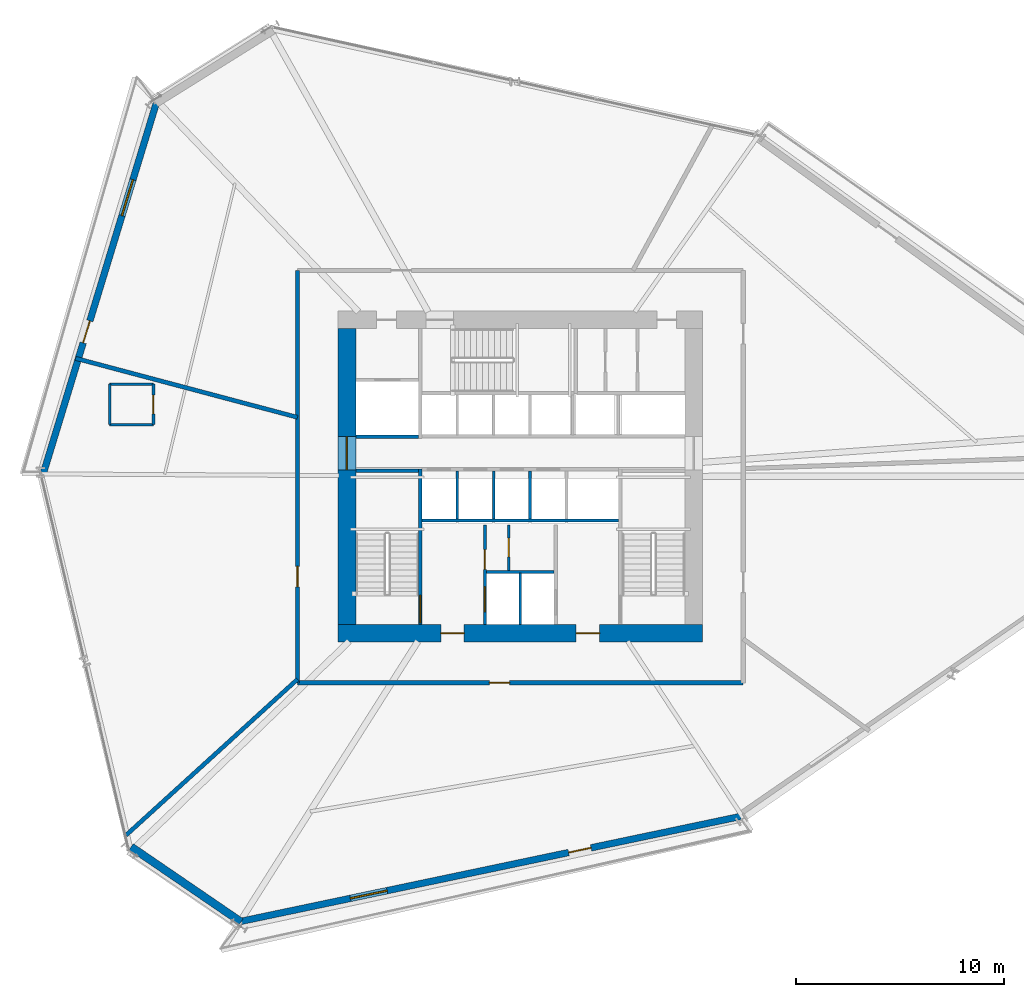
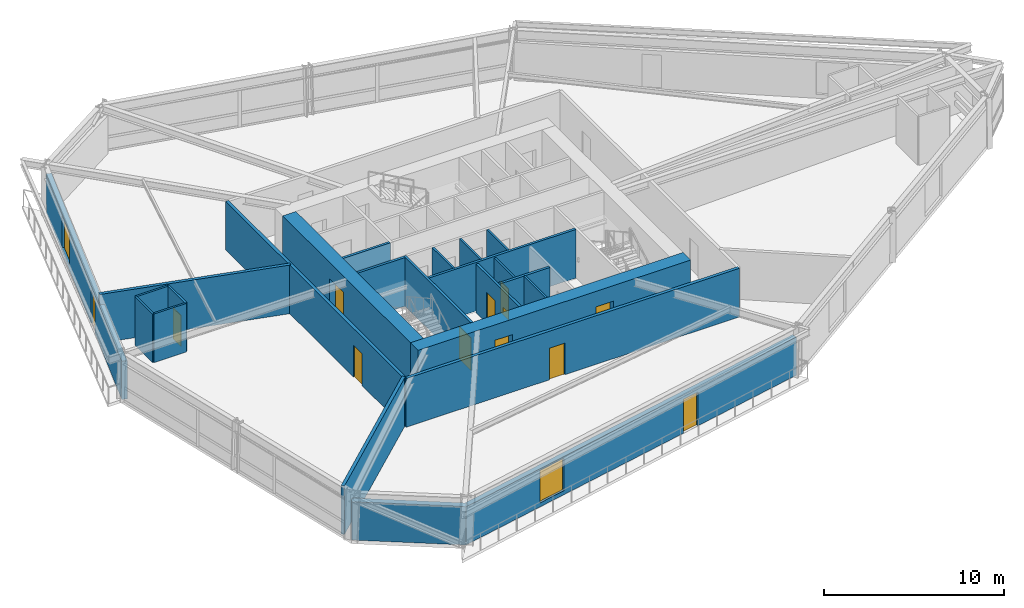
# One storey, part 18 of 24: 24 walls, 12 doors, 2 windows, 14 openings.
"""IFC4 building model written with IfcOpenShell, lengths in metres."""

from ifc_helpers import new_model, si_unit, direction, frame, frame_2d, origin, place, context, subcontext, project, spatial, rectangle, extrude, source, transform, mapped, material, layer, layer_set, type_object, type_shapes, element, fill, save


model = new_model("IFC4")

# Units and contexts
model_context = context("Model", 3, precision=1e-05, world=origin(), true_north=direction((0.0, 1.0)))
body_context = subcontext(model_context, "Body", "Model", "MODEL_VIEW")
ifc_project = project(units=[si_unit("LENGTHUNIT", "METRE"), si_unit("AREAUNIT", "SQUARE_METRE"), si_unit("VOLUMEUNIT", "CUBIC_METRE"), si_unit("PLANEANGLEUNIT", "RADIAN"), si_unit("MASSUNIT", "GRAM", prefix="KILO")], contexts=[model_context])

# Site, building, storey
site_placement = place(None, origin())
site = spatial("IfcSite", under=ifc_project, at=site_placement, CompositionType="ELEMENT")
building_placement = place(site_placement, origin())
building = spatial("IfcBuilding", under=site, at=building_placement, Name="Olszyna Solenne Hotel", CompositionType="ELEMENT")
storey_placement = place(building_placement, frame((0.0, 0.0, 36.39990234375)))
storey = spatial("IfcBuildingStorey", under=building, at=storey_placement, Name="L08", CompositionType="ELEMENT", Elevation=36.39990234375)

# Wall, openings, doors
ifc_material_1 = material(Name="Concrete C60/75", Category="concrete")
ifc_layer_1 = layer(ifc_material_1, 0.85009765625, Name="Concrete C60/75")
ifc_layer_set_1 = layer_set([ifc_layer_1], Name="Concrete C60/75")
wall_type_1 = type_object("IfcWallType", Name="WL-CR850", PredefinedType="SHEAR", material=ifc_layer_set_1)
wall_1_placement = place(storey_placement, frame((46.75, 19.074951171875, 0.0), z_axis=(0.0, 0.0, 1.0), x_axis=(-1.0, 0.0, 0.0)))
wall_1 = element("IfcWall", 1, at=wall_1_placement, inside=storey, type_object=wall_type_1, Name="Core shear wall WL-CR850 CRW-L08-S", PredefinedType="SHEAR", context=body_context, shape_type="SweptSolid", body=[
    extrude(rectangle(XDim=17.5, YDim=0.85009765625, at=frame_2d((8.75, 0.0))), origin(), (0.0, 0.0, 1.0), 3.300048828125),
])
opening_1_placement = place(wall_1_placement, frame((4.949951171875, 0.0, 0.0)))
opening_1 = element("IfcOpeningElement", 2, at=opening_1_placement, cuts=wall_1, Name="Opening FL-L08-1", PredefinedType="OPENING", context=body_context, shape_type="SweptSolid", body=[
    extrude(rectangle(XDim=1.1201171875, YDim=2.25, at=frame_2d((0.56005859375, 1.125))), frame((0.0, 0.43505859375, 0.0), z_axis=(0.0, -1.0, 0.0), x_axis=(1.0, 0.0, 0.0)), (0.0, 0.0, 1.0), 0.8701171875),
])
opening_2_placement = place(wall_1_placement, frame((11.449951171875, 0.0, 0.0)))
opening_2 = element("IfcOpeningElement", 3, at=opening_2_placement, cuts=wall_1, Name="Opening FL-L08-2", PredefinedType="OPENING", context=body_context, shape_type="SweptSolid", body=[
    extrude(rectangle(XDim=1.1201171875, YDim=2.25, at=frame_2d((0.56005859375, 1.125))), frame((0.0, 0.43505859375, 0.0), z_axis=(0.0, -1.0, 0.0), x_axis=(1.0, 0.0, 0.0)), (0.0, 0.0, 1.0), 0.8701171875),
])
ifc_material_2 = material(Name="Steel S355J2", Category="steel")
door_type_1 = type_object("IfcDoorType", Name="DR-FL1", OperationType="NOTDEFINED", PredefinedType="DOOR", material=ifc_material_2)
shared_shape_1 = source(origin(), body_context, "Body", "SweptSolid", [
    extrude(rectangle(XDim=1.1201171875, YDim=2.25, at=frame_2d((0.56005859375, 1.125))), frame((0.0, 0.02490234375, 0.0), z_axis=(0.0, -1.0, 0.0), x_axis=(1.0, 0.0, 0.0)), (0.0, 0.0, 1.0), 0.050048828125),
])
type_shapes(door_type_1, [shared_shape_1])
door_1_placement = place(opening_1_placement, origin())
door_1 = element("IfcDoor", 4, at=door_1_placement, inside=storey, type_object=door_type_1, Name="Firefighting lift lobby smoke door FL-L08-1", OperationType="SINGLE_SWING_LEFT", OverallHeight=2.25, OverallWidth=1.1201171875, PredefinedType="DOOR", context=body_context, shape_type="MappedRepresentation", body=[
    mapped(shared_shape_1, transform((0.0, 0.0, 0.0), x_axis=(1.0, 0.0, 0.0), y_axis=(0.0, 1.0, 0.0), z_axis=(0.0, 0.0, 1.0), scale=1.0)),
])
fill(opening_1, door_1)
door_2_placement = place(opening_2_placement, origin())
door_2 = element("IfcDoor", 5, at=door_2_placement, inside=storey, type_object=door_type_1, Name="Firefighting lift lobby smoke door FL-L08-2", OperationType="SINGLE_SWING_RIGHT", OverallHeight=2.25, OverallWidth=1.1201171875, PredefinedType="DOOR", context=body_context, shape_type="MappedRepresentation", body=[
    mapped(shared_shape_1, transform((0.0, 0.0, 0.0), x_axis=(1.0, 0.0, 0.0), y_axis=(0.0, 1.0, 0.0), z_axis=(0.0, 0.0, 1.0), scale=1.0)),
])
fill(opening_2, door_2)

# Wall, opening, door
wall_2_placement = place(storey_placement, frame((29.675048828125, 19.5, 0.0), z_axis=(0.0, 0.0, 1.0), x_axis=(0.0, 1.0, 0.0)))
wall_2 = element("IfcWall", 6, at=wall_2_placement, inside=storey, type_object=wall_type_1, Name="Core shear wall WL-CR850 CRW-L08-W", PredefinedType="SHEAR", context=body_context, shape_type="SweptSolid", body=[
    extrude(rectangle(XDim=14.199951171875, YDim=0.85009765625, at=frame_2d((7.10009765625, 0.0))), origin(), (0.0, 0.0, 1.0), 3.300048828125),
])
opening_3_placement = place(wall_2_placement, frame((7.419921875, 0.0, 0.0)))
opening_3 = element("IfcOpeningElement", 7, at=opening_3_placement, cuts=wall_2, Name="Opening LHD-L08-W", PredefinedType="OPENING", context=body_context, shape_type="SweptSolid", body=[
    extrude(rectangle(XDim=1.60009765625, YDim=2.199951171875, at=frame_2d((0.800048828125, 1.10009765625))), frame((0.0, 0.43505859375, 0.0), z_axis=(0.0, -1.0, 0.0), x_axis=(1.0, 0.0, 0.0)), (0.0, 0.0, 1.0), 0.8701171875),
])
ifc_material_3 = material(Name="Timber hardwood", Category="wood")
door_type_2 = type_object("IfcDoorType", Name="DR-CR1", OperationType="DOUBLE_DOOR_SINGLE_SWING", PredefinedType="DOOR", material=ifc_material_3)
shared_shape_2 = source(origin(), body_context, "Body", "SweptSolid", [
    extrude(rectangle(XDim=1.60009765625, YDim=2.199951171875, at=frame_2d((0.800048828125, 1.10009765625))), frame((0.0, 0.02490234375, 0.0), z_axis=(0.0, -1.0, 0.0), x_axis=(1.0, 0.0, 0.0)), (0.0, 0.0, 1.0), 0.050048828125),
])
type_shapes(door_type_2, [shared_shape_2])
door_3_placement = place(opening_3_placement, origin())
door_3 = element("IfcDoor", 8, at=door_3_placement, inside=storey, type_object=door_type_2, Name="Passenger lift lobby West fire door LHD-L08-W", OperationType="DOUBLE_DOOR_SINGLE_SWING", OverallHeight=2.199951171875, OverallWidth=1.60009765625, PredefinedType="DOOR", context=body_context, shape_type="MappedRepresentation", body=[
    mapped(shared_shape_2, transform((0.0, 0.0, 0.0), x_axis=(1.0, 0.0, 0.0), y_axis=(0.0, 1.0, 0.0), z_axis=(0.0, 0.0, 1.0), scale=1.0)),
])
fill(opening_3, door_3)

# Wall, openings, door, window
ifc_material_4 = material(Name="Precast concrete C45/55", Category="concrete")
ifc_layer_2 = layer(ifc_material_4, 0.320068359375, Name="Precast concrete C45/55")
ifc_layer_set_2 = layer_set([ifc_layer_2], Name="Precast concrete C45/55")
wall_type_2 = type_object("IfcWallType", Name="WL-EX320", PredefinedType="SOLIDWALL", material=ifc_layer_set_2)
wall_3_placement = place(storey_placement, frame((48.5791015625, 10.284912109375, 0.0), z_axis=(0.0, 0.0, 1.0), x_axis=(-0.978662775372, -0.205473044709, 0.0)))
wall_3 = element("IfcWall", 9, at=wall_3_placement, inside=storey, type_object=wall_type_2, Name="Exterior terracotta-precast frame wall WL-EX320 EW-L08-01", PredefinedType="SOLIDWALL", context=body_context, shape_type="SweptSolid", body=[
    extrude(rectangle(XDim=24.658447265625, YDim=0.320068359375, at=frame_2d((12.3291015625, 0.0))), origin(), (0.0, 0.0, 1.0), 2.592041015625),
])
opening_4_placement = place(wall_3_placement, frame((7.341064453125, 0.0, 0.0)))
opening_4 = element("IfcOpeningElement", 10, at=opening_4_placement, cuts=wall_3, Name="Opening LDG-L08-3", PredefinedType="OPENING", context=body_context, shape_type="SweptSolid", body=[
    extrude(rectangle(XDim=1.10009765625, YDim=2.300048828125, at=frame_2d((0.550048828125, 1.14990234375))), frame((0.0, 0.169921875, 0.0), z_axis=(0.0, -1.0, 0.0), x_axis=(1.0, 0.0, 0.0)), (0.0, 0.0, 1.0), 0.340087890625),
])
opening_5_placement = place(wall_3_placement, frame((17.346923828125, 0.0, 0.27197265625)))
opening_5 = element("IfcOpeningElement", 11, at=opening_5_placement, cuts=wall_3, Name="Opening WN-L08-031", PredefinedType="OPENING", context=body_context, shape_type="SweptSolid", body=[
    extrude(rectangle(XDim=1.800048828125, YDim=2.199951171875, at=frame_2d((0.89990234375, 1.10009765625))), frame((0.0, 0.169921875, 0.0), z_axis=(0.0, -1.0, 0.0), x_axis=(1.0, 0.0, 0.0)), (0.0, 0.0, 1.0), 0.340087890625),
])
ifc_material_5 = material(Name="Anodised bronze aluminium", Category="aluminium")
door_type_3 = type_object("IfcDoorType", Name="DR-LG1", OperationType="NOTDEFINED", PredefinedType="DOOR", material=ifc_material_5)
shared_shape_3 = source(origin(), body_context, "Body", "SweptSolid", [
    extrude(rectangle(XDim=1.10009765625, YDim=2.300048828125, at=frame_2d((0.550048828125, 1.14990234375))), frame((0.0, 0.02490234375, 0.0), z_axis=(0.0, -1.0, 0.0), x_axis=(1.0, 0.0, 0.0)), (0.0, 0.0, 1.0), 0.050048828125),
])
type_shapes(door_type_3, [shared_shape_3])
door_4_placement = place(opening_4_placement, origin())
door_4 = element("IfcDoor", 12, at=door_4_placement, inside=storey, type_object=door_type_3, Name="Exterior loggia balcony door DR-LG1 LDG-L08-3", OperationType="SINGLE_SWING_LEFT", OverallHeight=2.300048828125, OverallWidth=1.10009765625, PredefinedType="DOOR", context=body_context, shape_type="MappedRepresentation", body=[
    mapped(shared_shape_3, transform((0.0, 0.0, 0.0), x_axis=(1.0, 0.0, 0.0), y_axis=(0.0, 1.0, 0.0), z_axis=(0.0, 0.0, 1.0), scale=1.0)),
])
fill(opening_4, door_4)
ifc_material_6 = material(Name="Low-E triple glazing", Category="glass")
window_type = type_object("IfcWindowType", Name="WN-HT1", PartitioningType="SINGLE_PANEL", PredefinedType="WINDOW", material=ifc_material_6)
shared_shape_4 = source(origin(), body_context, "Body", "SweptSolid", [
    extrude(rectangle(XDim=1.800048828125, YDim=2.199951171875, at=frame_2d((0.89990234375, 1.10009765625))), frame((0.0, 0.030029296875, 0.0), z_axis=(0.0, -1.0, 0.0), x_axis=(1.0, 0.0, 0.0)), (0.0, 0.0, 1.0), 0.06005859375),
])
type_shapes(window_type, [shared_shape_4])
window_1_placement = place(opening_5_placement, origin())
window_1 = element("IfcWindow", 13, at=window_1_placement, inside=storey, type_object=window_type, Name="Loggia room window WN-HT1 WN-L08-031", OverallHeight=2.199951171875, OverallWidth=1.800048828125, PartitioningType="SINGLE_PANEL", PredefinedType="WINDOW", context=body_context, shape_type="MappedRepresentation", body=[
    mapped(shared_shape_4, transform((0.0, 0.0, 0.0), x_axis=(1.0, 0.0, 0.0), y_axis=(0.0, 1.0, 0.0), z_axis=(0.0, 0.0, 1.0), scale=1.0)),
])
fill(opening_5, window_1)

wall_4_placement = place(storey_placement, frame((15.108642578125, 26.78662109375, 0.0), z_axis=(0.0, 0.0, 1.0), x_axis=(0.291769715956, 0.956488595254, 0.0)))
wall_4 = element("IfcWall", 14, at=wall_4_placement, inside=storey, type_object=wall_type_2, Name="Exterior terracotta-precast frame wall WL-EX320 EW-L08-04", PredefinedType="SOLIDWALL", context=body_context, shape_type="SweptSolid", body=[
    extrude(rectangle(XDim=18.657958984375, YDim=0.320068359375, at=frame_2d((9.3291015625, 0.0))), origin(), (0.0, 0.0, 1.0), 2.592041015625),
])
opening_6_placement = place(wall_4_placement, frame((6.52099609375, 0.0, 0.0)))
opening_6 = element("IfcOpeningElement", 15, at=opening_6_placement, cuts=wall_4, Name="Opening LDG-L08-2", PredefinedType="OPENING", context=body_context, shape_type="SweptSolid", body=[
    extrude(rectangle(XDim=1.10009765625, YDim=2.300048828125, at=frame_2d((0.550048828125, 1.14990234375))), frame((0.0, 0.169921875, 0.0), z_axis=(0.0, -1.0, 0.0), x_axis=(1.0, 0.0, 0.0)), (0.0, 0.0, 1.0), 0.340087890625),
])
opening_7_placement = place(wall_4_placement, frame((12.906982421875, 0.0, 0.27197265625)))
opening_7 = element("IfcOpeningElement", 16, at=opening_7_placement, cuts=wall_4, Name="Opening WN-L08-032", PredefinedType="OPENING", context=body_context, shape_type="SweptSolid", body=[
    extrude(rectangle(XDim=1.800048828125, YDim=2.199951171875, at=frame_2d((0.89990234375, 1.10009765625))), frame((0.0, 0.169921875, 0.0), z_axis=(0.0, -1.0, 0.0), x_axis=(1.0, 0.0, 0.0)), (0.0, 0.0, 1.0), 0.340087890625),
])
door_5_placement = place(opening_6_placement, origin())
door_5 = element("IfcDoor", 17, at=door_5_placement, inside=storey, type_object=door_type_3, Name="Exterior loggia balcony door DR-LG1 LDG-L08-2", OperationType="SINGLE_SWING_RIGHT", OverallHeight=2.300048828125, OverallWidth=1.10009765625, PredefinedType="DOOR", context=body_context, shape_type="MappedRepresentation", body=[
    mapped(shared_shape_3, transform((0.0, 0.0, 0.0), x_axis=(1.0, 0.0, 0.0), y_axis=(0.0, 1.0, 0.0), z_axis=(0.0, 0.0, 1.0), scale=1.0)),
])
fill(opening_6, door_5)
window_2_placement = place(opening_7_placement, origin())
window_2 = element("IfcWindow", 18, at=window_2_placement, inside=storey, type_object=window_type, Name="Loggia room window WN-HT1 WN-L08-032", OverallHeight=2.199951171875, OverallWidth=1.800048828125, PartitioningType="SINGLE_PANEL", PredefinedType="WINDOW", context=body_context, shape_type="MappedRepresentation", body=[
    mapped(shared_shape_4, transform((0.0, 0.0, 0.0), x_axis=(1.0, 0.0, 0.0), y_axis=(0.0, 1.0, 0.0), z_axis=(0.0, 0.0, 1.0), scale=1.0)),
])
fill(opening_7, window_2)

# Walls
ifc_material_7 = material(Name="Terracotta cladding on precast concrete C45/55", Category="masonry")
ifc_layer_3 = layer(ifc_material_7, 0.3798828125, Name="Terracotta cladding on precast concrete C45/55")
ifc_layer_set_3 = layer_set([ifc_layer_3], Name="Terracotta cladding on precast concrete C45/55")
wall_type_3 = type_object("IfcWallType", Name="WL-EX380", PredefinedType="SOLIDWALL", material=ifc_layer_set_3)
wall_5_placement = place(storey_placement, frame((24.5869140625, 5.218505859375, 0.0), z_axis=(0.0, 0.0, 1.0), x_axis=(-0.825615561524, 0.564233058735, 0.0)))
element("IfcWall", 19, at=wall_5_placement, inside=storey, type_object=wall_type_3, Name="Exterior terracotta-precast frame wall WL-EX380 EW-L08-02", PredefinedType="SOLIDWALL", context=body_context, shape_type="SweptSolid", body=[
    extrude(rectangle(XDim=6.387939453125, YDim=0.3798828125, at=frame_2d((3.19384765625, 0.0))), origin(), (0.0, 0.0, 1.0), 2.592041015625),
])
ifc_material_8 = material(Name="Acoustic gypsum partition", Category="gypsum")
ifc_layer_4 = layer(ifc_material_8, 0.125, Name="Acoustic gypsum partition")
ifc_layer_set_4 = layer_set([ifc_layer_4], Name="Acoustic gypsum partition")
wall_type_4 = type_object("IfcWallType", Name="WL-PT125", PredefinedType="PARTITIONING", material=ifc_layer_set_4)
wall_6_placement = place(storey_placement, frame((38.0, 19.5, 0.0), z_axis=(0.0, 0.0, 1.0), x_axis=(0.0, 1.0, 0.0)))
element("IfcWall", 20, at=wall_6_placement, inside=storey, type_object=wall_type_4, Name="Core shaft compartment wall CW-L08-FFM", PredefinedType="PARTITIONING", context=body_context, shape_type="SweptSolid", body=[
    extrude(rectangle(XDim=2.4599609375, YDim=0.125, at=frame_2d((1.22998046875, 0.0))), origin(), (0.0, 0.0, 1.0), 3.300048828125),
])

# Wall, opening, door
wall_7_placement = place(storey_placement, frame((37.44189453125, 22.10009765625, 0.0), z_axis=(0.0, 0.0, 1.0), x_axis=(0.0, 1.0, 0.0)))
wall_7 = element("IfcWall", 21, at=wall_7_placement, inside=storey, type_object=wall_type_4, Name="Core shaft compartment wall CW-L08-SC3", PredefinedType="PARTITIONING", context=body_context, shape_type="SweptSolid", body=[
    extrude(rectangle(XDim=2.179931640625, YDim=0.125, at=frame_2d((1.08984375, 0.0))), origin(), (0.0, 0.0, 1.0), 3.300048828125),
])
opening_8_placement = place(wall_7_placement, frame((0.64990234375, 0.0, 0.0)))
opening_8 = element("IfcOpeningElement", 22, at=opening_8_placement, cuts=wall_7, Name="Opening SVD-L08-SC3", PredefinedType="OPENING", context=body_context, shape_type="SweptSolid", body=[
    extrude(rectangle(XDim=0.89990234375, YDim=2.10009765625, at=frame_2d((0.449951171875, 1.050048828125))), frame((0.0, 0.072509765625, 0.0), z_axis=(0.0, -1.0, 0.0), x_axis=(1.0, 0.0, 0.0)), (0.0, 0.0, 1.0), 0.14501953125),
])
door_type_4 = type_object("IfcDoorType", Name="DR-WC1", OperationType="NOTDEFINED", PredefinedType="DOOR", material=ifc_material_3)
shared_shape_5 = source(origin(), body_context, "Body", "SweptSolid", [
    extrude(rectangle(XDim=0.89990234375, YDim=2.10009765625, at=frame_2d((0.449951171875, 1.050048828125))), frame((0.0, 0.02490234375, 0.0), z_axis=(0.0, -1.0, 0.0), x_axis=(1.0, 0.0, 0.0)), (0.0, 0.0, 1.0), 0.050048828125),
])
type_shapes(door_type_4, [shared_shape_5])
door_6_placement = place(opening_8_placement, origin())
door_6 = element("IfcDoor", 23, at=door_6_placement, inside=storey, type_object=door_type_4, Name="Trolley bay door SVD-L08-SC3", OperationType="SINGLE_SWING_LEFT", OverallHeight=2.10009765625, OverallWidth=0.89990234375, PredefinedType="DOOR", context=body_context, shape_type="MappedRepresentation", body=[
    mapped(shared_shape_5, transform((0.0, 0.0, 0.0), x_axis=(1.0, 0.0, 0.0), y_axis=(0.0, 1.0, 0.0), z_axis=(0.0, 0.0, 1.0), scale=1.0)),
])
fill(opening_8, door_6)

# Walls
for number, where, z_axis, x_axis, name in (
    (24, (34.965087890625, 24.56005859375, 0.0), (0.0, 0.0, 1.0), (0.0, 1.0, 0.0), "Core shaft compartment wall CW-L08-DIVS349"),
    (25, (36.715087890625, 24.56005859375, 0.0), (0.0, 0.0, 1.0), (0.0, 1.0, 0.0), "Core shaft compartment wall CW-L08-DIVS367"),
    (26, (38.465087890625, 24.56005859375, 0.0), (0.0, 0.0, 1.0), (0.0, 1.0, 0.0), "Core shaft compartment wall CW-L08-DIVS384"),
):
    element("IfcWall", number, at=place(storey_placement, frame(where, z_axis=z_axis, x_axis=x_axis)), inside=storey, type_object=wall_type_4, Name=name, PredefinedType="PARTITIONING", context=body_context, shape_type="SweptSolid", body=[
        extrude(rectangle(XDim=2.31005859375, YDim=0.125, at=frame_2d((1.155029296875, 0.0))), origin(), (0.0, 0.0, 1.0), 3.300048828125),
    ])

# Wall, opening, door
wall_8_placement = place(storey_placement, frame((20.385986328125, 29.090087890625, 0.0), z_axis=(0.0, 0.0, 1.0), x_axis=(0.0, 1.0, 0.0)))
wall_8 = element("IfcWall", 27, at=wall_8_placement, inside=storey, type_object=wall_type_4, Name="Interior acoustic partition WL-PT125 PW-L08-0459", PredefinedType="PARTITIONING", context=body_context, shape_type="SweptSolid", body=[
    extrude(rectangle(XDim=1.949951171875, YDim=0.125, at=frame_2d((0.97509765625, 0.0))), origin(), (0.0, 0.0, 1.0), 3.300048828125),
])
opening_9_placement = place(wall_8_placement, frame((0.52490234375, 0.0, 0.0)))
opening_9 = element("IfcOpeningElement", 28, at=opening_9_placement, cuts=wall_8, Name="Opening DR-L08-0099", PredefinedType="OPENING", context=body_context, shape_type="SweptSolid", body=[
    extrude(rectangle(XDim=0.89990234375, YDim=2.10009765625, at=frame_2d((0.449951171875, 1.050048828125))), frame((0.0, 0.072509765625, 0.0), z_axis=(0.0, -1.0, 0.0), x_axis=(1.0, 0.0, 0.0)), (0.0, 0.0, 1.0), 0.14501953125),
])
door_7_placement = place(opening_9_placement, origin())
door_7 = element("IfcDoor", 29, at=door_7_placement, inside=storey, type_object=door_type_4, Name="En-Suite Bathroom Door DR-L08-0099", OperationType="SINGLE_SWING_RIGHT", OverallHeight=2.10009765625, OverallWidth=0.89990234375, PredefinedType="DOOR", context=body_context, shape_type="MappedRepresentation", body=[
    mapped(shared_shape_5, transform((0.0, 0.0, 0.0), x_axis=(1.0, 0.0, 0.0), y_axis=(0.0, 1.0, 0.0), z_axis=(0.0, 0.0, 1.0), scale=1.0)),
])
fill(opening_9, door_7)

# Walls
wall_9_placement = place(storey_placement, frame((20.385986328125, 31.0400390625, 0.0), z_axis=(0.0, 0.0, 1.0), x_axis=(-1.0, 0.0, 0.0)))
element("IfcWall", 30, at=wall_9_placement, inside=storey, type_object=wall_type_4, Name="Interior acoustic partition WL-PT125 PW-L08-0460", PredefinedType="PARTITIONING", context=body_context, shape_type="SweptSolid", body=[
    extrude(rectangle(XDim=2.10009765625, YDim=0.125, at=frame_2d((1.050048828125, 0.0))), origin(), (0.0, 0.0, 1.0), 3.300048828125),
])
wall_10_placement = place(storey_placement, frame((18.285888671875, 31.0400390625, 0.0), z_axis=(0.0, 0.0, 1.0), x_axis=(0.0, -1.0, 0.0)))
element("IfcWall", 31, at=wall_10_placement, inside=storey, type_object=wall_type_4, Name="Interior acoustic partition WL-PT125 PW-L08-0461", PredefinedType="PARTITIONING", context=body_context, shape_type="SweptSolid", body=[
    extrude(rectangle(XDim=1.949951171875, YDim=0.125, at=frame_2d((0.97509765625, 0.0))), origin(), (0.0, 0.0, 1.0), 3.300048828125),
])
wall_11_placement = place(storey_placement, frame((18.285888671875, 29.090087890625, 0.0), z_axis=(0.0, 0.0, 1.0), x_axis=(1.0, 0.0, 0.0)))
element("IfcWall", 32, at=wall_11_placement, inside=storey, type_object=wall_type_4, Name="Interior acoustic partition WL-PT125 PW-L08-0462", PredefinedType="PARTITIONING", context=body_context, shape_type="SweptSolid", body=[
    extrude(rectangle(XDim=2.10009765625, YDim=0.125, at=frame_2d((1.050048828125, 0.0))), origin(), (0.0, 0.0, 1.0), 3.300048828125),
])

# Wall, opening, door
ifc_layer_5 = layer(ifc_material_8, 0.159912109375, Name="Acoustic gypsum partition")
ifc_layer_set_5 = layer_set([ifc_layer_5], Name="Acoustic gypsum partition")
wall_type_5 = type_object("IfcWallType", Name="WL-PT160", PredefinedType="PARTITIONING", material=ifc_layer_set_5)
wall_12_placement = place(storey_placement, frame((33.199951171875, 19.5, 0.0), z_axis=(0.0, 0.0, 1.0), x_axis=(0.0, 1.0, 0.0)))
wall_12 = element("IfcWall", 33, at=wall_12_placement, inside=storey, type_object=wall_type_5, Name="Core shaft compartment wall CW-L08-ST1E", PredefinedType="PARTITIONING", context=body_context, shape_type="SweptSolid", body=[
    extrude(rectangle(XDim=7.4599609375, YDim=0.159912109375, at=frame_2d((3.72998046875, 0.0))), origin(), (0.0, 0.0, 1.0), 3.300048828125),
])
opening_10_placement = place(wall_12_placement, frame((0.080078125, 0.0, 0.0)))
opening_10 = element("IfcOpeningElement", 34, at=opening_10_placement, cuts=wall_12, Name="Opening STD-L08-01", PredefinedType="OPENING", context=body_context, shape_type="SweptSolid", body=[
    extrude(rectangle(XDim=1.320068359375, YDim=2.199951171875, at=frame_2d((0.66015625, 1.10009765625))), frame((0.0, 0.08984375, 0.0), z_axis=(0.0, -1.0, 0.0), x_axis=(1.0, 0.0, 0.0)), (0.0, 0.0, 1.0), 0.179931640625),
])
door_type_5 = type_object("IfcDoorType", Name="DR-ST1", OperationType="NOTDEFINED", PredefinedType="DOOR", material=ifc_material_2)
shared_shape_6 = source(origin(), body_context, "Body", "SweptSolid", [
    extrude(rectangle(XDim=1.320068359375, YDim=2.199951171875, at=frame_2d((0.66015625, 1.10009765625))), frame((0.0, 0.02490234375, 0.0), z_axis=(0.0, -1.0, 0.0), x_axis=(1.0, 0.0, 0.0)), (0.0, 0.0, 1.0), 0.050048828125),
])
type_shapes(door_type_5, [shared_shape_6])
door_8_placement = place(opening_10_placement, origin())
door_8 = element("IfcDoor", 35, at=door_8_placement, inside=storey, type_object=door_type_5, Name="Pressurised exit stair ST1 fire door STD-L08-01", OperationType="SINGLE_SWING_LEFT", OverallHeight=2.199951171875, OverallWidth=1.320068359375, PredefinedType="DOOR", context=body_context, shape_type="MappedRepresentation", body=[
    mapped(shared_shape_6, transform((0.0, 0.0, 0.0), x_axis=(1.0, 0.0, 0.0), y_axis=(0.0, 1.0, 0.0), z_axis=(0.0, 0.0, 1.0), scale=1.0)),
])
fill(opening_10, door_8)

# Wall
wall_13_placement = place(storey_placement, frame((30.10009765625, 26.8798828125, 0.0), z_axis=(0.0, 0.0, 1.0), x_axis=(1.0, 0.0, 0.0)))
element("IfcWall", 36, at=wall_13_placement, inside=storey, type_object=wall_type_5, Name="Core shaft compartment wall CW-L08-ST1N", PredefinedType="PARTITIONING", context=body_context, shape_type="SweptSolid", body=[
    extrude(rectangle(XDim=3.02001953125, YDim=0.159912109375, at=frame_2d((1.510009765625, 0.0))), origin(), (0.0, 0.0, 1.0), 3.300048828125),
])

# Wall, openings, doors
wall_14_placement = place(storey_placement, frame((36.300048828125, 19.5, 0.0), z_axis=(0.0, 0.0, 1.0), x_axis=(0.0, 1.0, 0.0)))
wall_14 = element("IfcWall", 37, at=wall_14_placement, inside=storey, type_object=wall_type_5, Name="Core shaft compartment wall CW-L08-FF1W", PredefinedType="PARTITIONING", context=body_context, shape_type="SweptSolid", body=[
    extrude(rectangle(XDim=4.780029296875, YDim=0.159912109375, at=frame_2d((2.39013671875, 0.0))), origin(), (0.0, 0.0, 1.0), 3.300048828125),
])
opening_11_placement = place(wall_14_placement, frame((0.60009765625, 0.0, 0.0)))
opening_11 = element("IfcOpeningElement", 38, at=opening_11_placement, cuts=wall_14, Name="Opening LD-L08-FF1", PredefinedType="OPENING", context=body_context, shape_type="SweptSolid", body=[
    extrude(rectangle(XDim=1.199951171875, YDim=2.199951171875, at=frame_2d((0.60009765625, 1.10009765625))), frame((0.0, 0.08984375, 0.0), z_axis=(0.0, -1.0, 0.0), x_axis=(1.0, 0.0, 0.0)), (0.0, 0.0, 1.0), 0.179931640625),
])
opening_12_placement = place(wall_14_placement, frame((2.64990234375, 0.0, 0.0)))
opening_12 = element("IfcOpeningElement", 39, at=opening_12_placement, cuts=wall_14, Name="Opening SVD-L08-SMK", PredefinedType="OPENING", context=body_context, shape_type="SweptSolid", body=[
    extrude(rectangle(XDim=0.949951171875, YDim=2.10009765625, at=frame_2d((0.47509765625, 1.050048828125))), frame((0.0, 0.08984375, 0.0), z_axis=(0.0, -1.0, 0.0), x_axis=(1.0, 0.0, 0.0)), (0.0, 0.0, 1.0), 0.179931640625),
])
door_type_6 = type_object("IfcDoorType", Name="DR-SV1", OperationType="NOTDEFINED", PredefinedType="DOOR", material=ifc_material_2)
shared_shape_7 = source(origin(), body_context, "Body", "SweptSolid", [
    extrude(rectangle(XDim=0.949951171875, YDim=2.10009765625, at=frame_2d((0.47509765625, 1.050048828125))), frame((0.0, 0.02490234375, 0.0), z_axis=(0.0, -1.0, 0.0), x_axis=(1.0, 0.0, 0.0)), (0.0, 0.0, 1.0), 0.050048828125),
])
type_shapes(door_type_6, [shared_shape_7])
door_9_placement = place(opening_12_placement, origin())
door_9 = element("IfcDoor", 40, at=door_9_placement, inside=storey, type_object=door_type_6, Name="Valet and core service room door SVD-L08-SMK", OperationType="SINGLE_SWING_LEFT", OverallHeight=2.10009765625, OverallWidth=0.949951171875, PredefinedType="DOOR", context=body_context, shape_type="MappedRepresentation", body=[
    mapped(shared_shape_7, transform((0.0, 0.0, 0.0), x_axis=(1.0, 0.0, 0.0), y_axis=(0.0, 1.0, 0.0), z_axis=(0.0, 0.0, 1.0), scale=1.0)),
])
fill(opening_12, door_9)
door_type_7 = type_object("IfcDoorType", Name="LD-FF1", OperationType="DOUBLE_DOOR_SLIDING", PredefinedType="DOOR", material=ifc_material_2)
shared_shape_8 = source(origin(), body_context, "Body", "SweptSolid", [
    extrude(rectangle(XDim=1.199951171875, YDim=2.199951171875, at=frame_2d((0.60009765625, 1.10009765625))), frame((0.0, 0.02490234375, 0.0), z_axis=(0.0, -1.0, 0.0), x_axis=(1.0, 0.0, 0.0)), (0.0, 0.0, 1.0), 0.050048828125),
])
type_shapes(door_type_7, [shared_shape_8])
door_10_placement = place(opening_11_placement, origin())
door_10 = element("IfcDoor", 41, at=door_10_placement, inside=storey, type_object=door_type_7, Name="Firefighters lift FF1 sliding landing door LD-L08-FF1", OperationType="DOUBLE_DOOR_SLIDING", OverallHeight=2.199951171875, OverallWidth=1.199951171875, PredefinedType="DOOR", context=body_context, shape_type="MappedRepresentation", body=[
    mapped(shared_shape_8, transform((0.0, 0.0, 0.0), x_axis=(1.0, 0.0, 0.0), y_axis=(0.0, 1.0, 0.0), z_axis=(0.0, 0.0, 1.0), scale=1.0)),
])
fill(opening_11, door_10)

# Walls
wall_15_placement = place(storey_placement, frame((36.3798828125, 22.02001953125, 0.0), z_axis=(0.0, 0.0, 1.0), x_axis=(1.0, 0.0, 0.0)))
element("IfcWall", 42, at=wall_15_placement, inside=storey, type_object=wall_type_5, Name="Core shaft compartment wall CW-L08-FFN", PredefinedType="PARTITIONING", context=body_context, shape_type="SweptSolid", body=[
    extrude(rectangle(XDim=3.240234375, YDim=0.159912109375, at=frame_2d((1.6201171875, 0.0))), origin(), (0.0, 0.0, 1.0), 3.300048828125),
])
wall_16_placement = place(storey_placement, frame((33.280029296875, 24.489990234375, 0.0), z_axis=(0.0, 0.0, 1.0), x_axis=(1.0, 0.0, 0.0)))
element("IfcWall", 43, at=wall_16_placement, inside=storey, type_object=wall_type_5, Name="Core shaft compartment wall CW-L08-FFBN", PredefinedType="PARTITIONING", context=body_context, shape_type="SweptSolid", body=[
    extrude(rectangle(XDim=9.43994140625, YDim=0.159912109375, at=frame_2d((4.719970703125, 0.0))), origin(), (0.0, 0.0, 1.0), 3.300048828125),
])
wall_17_placement = place(storey_placement, frame((30.10009765625, 28.52001953125, 0.0), z_axis=(0.0, 0.0, 1.0), x_axis=(1.0, 0.0, 0.0)))
element("IfcWall", 44, at=wall_17_placement, inside=storey, type_object=wall_type_5, Name="Core shaft compartment wall CW-L08-SV1S", PredefinedType="PARTITIONING", context=body_context, shape_type="SweptSolid", body=[
    extrude(rectangle(XDim=3.02001953125, YDim=0.159912109375, at=frame_2d((1.510009765625, 0.0))), origin(), (0.0, 0.0, 1.0), 3.300048828125),
])
ifc_layer_6 = layer(ifc_material_8, 0.199951171875, Name="Acoustic gypsum partition")
ifc_layer_set_6 = layer_set([ifc_layer_6], Name="Acoustic gypsum partition")
wall_type_6 = type_object("IfcWallType", Name="WL-PT200", PredefinedType="PARTITIONING", material=ifc_layer_set_6)
wall_18_placement = place(storey_placement, frame((27.300048828125, 29.4453125, 0.0), z_axis=(0.0, 0.0, 1.0), x_axis=(-0.966416309267, 0.256981550277, 0.0)))
element("IfcWall", 45, at=wall_18_placement, inside=storey, type_object=wall_type_6, Name="Interior acoustic partition WL-PT200 PW-L08-0452", PredefinedType="PARTITIONING", context=body_context, shape_type="SweptSolid", body=[
    extrude(rectangle(XDim=11.022216796875, YDim=0.199951171875, at=frame_2d((5.51123046875, 0.0))), origin(), (0.0, 0.0, 1.0), 3.300048828125),
])
wall_19_placement = place(storey_placement, frame((27.300048828125, 16.868896484375, 0.0), z_axis=(0.0, 0.0, 1.0), x_axis=(-0.739798074748, -0.672828959394, 0.0)))
element("IfcWall", 46, at=wall_19_placement, inside=storey, type_object=wall_type_6, Name="Interior acoustic partition WL-PT200 PW-L08-0453", PredefinedType="PARTITIONING", context=body_context, shape_type="SweptSolid", body=[
    extrude(rectangle(XDim=11.126220703125, YDim=0.199951171875, at=frame_2d((5.56298828125, 0.0))), origin(), (0.0, 0.0, 1.0), 3.300048828125),
])

# Wall, opening, door
wall_20_placement = place(storey_placement, frame((27.300048828125, 16.699951171875, 0.0), z_axis=(0.0, 0.0, 1.0), x_axis=(1.0, 0.0, 0.0)))
wall_20 = element("IfcWall", 47, at=wall_20_placement, inside=storey, type_object=wall_type_6, Name="Interior acoustic partition WL-PT200 PW-L08-0467", PredefinedType="PARTITIONING", context=body_context, shape_type="SweptSolid", body=[
    extrude(rectangle(XDim=21.39990234375, YDim=0.199951171875, at=frame_2d((10.699951171875, 0.0))), origin(), (0.0, 0.0, 1.0), 3.300048828125),
])
opening_13_placement = place(wall_20_placement, frame((9.2099609375, 0.0, 0.0)))
opening_13 = element("IfcOpeningElement", 48, at=opening_13_placement, cuts=wall_20, Name="Opening DR-L08-0101", PredefinedType="OPENING", context=body_context, shape_type="SweptSolid", body=[
    extrude(rectangle(XDim=0.97998046875, YDim=2.14990234375, at=frame_2d((0.489990234375, 1.074951171875))), frame((0.0, 0.10986328125, 0.0), z_axis=(0.0, -1.0, 0.0), x_axis=(1.0, 0.0, 0.0)), (0.0, 0.0, 1.0), 0.219970703125),
])
door_type_8 = type_object("IfcDoorType", Name="DR-RM1", OperationType="NOTDEFINED", PredefinedType="DOOR", material=ifc_material_3)
shared_shape_9 = source(origin(), body_context, "Body", "SweptSolid", [
    extrude(rectangle(XDim=0.97998046875, YDim=2.14990234375, at=frame_2d((0.489990234375, 1.074951171875))), frame((0.0, 0.02490234375, 0.0), z_axis=(0.0, -1.0, 0.0), x_axis=(1.0, 0.0, 0.0)), (0.0, 0.0, 1.0), 0.050048828125),
])
type_shapes(door_type_8, [shared_shape_9])
door_11_placement = place(opening_13_placement, origin())
door_11 = element("IfcDoor", 49, at=door_11_placement, inside=storey, type_object=door_type_8, Name="Private Business Office Entrance Door DR-L08-0101", OperationType="SINGLE_SWING_LEFT", OverallHeight=2.14990234375, OverallWidth=0.97998046875, PredefinedType="DOOR", context=body_context, shape_type="MappedRepresentation", body=[
    mapped(shared_shape_9, transform((0.0, 0.0, 0.0), x_axis=(1.0, 0.0, 0.0), y_axis=(0.0, 1.0, 0.0), z_axis=(0.0, 0.0, 1.0), scale=1.0)),
])
fill(opening_13, door_11)

wall_21_placement = place(storey_placement, frame((27.300048828125, 16.699951171875, 0.0), z_axis=(0.0, 0.0, 1.0), x_axis=(0.0, 1.0, 0.0)))
wall_21 = element("IfcWall", 50, at=wall_21_placement, inside=storey, type_object=wall_type_6, Name="Interior acoustic partition WL-PT200 PW-L08-0468", PredefinedType="PARTITIONING", context=body_context, shape_type="SweptSolid", body=[
    extrude(rectangle(XDim=19.800048828125, YDim=0.199951171875, at=frame_2d((9.89990234375, 0.0))), origin(), (0.0, 0.0, 1.0), 3.300048828125),
])
opening_14_placement = place(wall_21_placement, frame((4.610107421875, 0.0, 0.0)))
opening_14 = element("IfcOpeningElement", 51, at=opening_14_placement, cuts=wall_21, Name="Opening DR-L08-0102", PredefinedType="OPENING", context=body_context, shape_type="SweptSolid", body=[
    extrude(rectangle(XDim=0.97998046875, YDim=2.14990234375, at=frame_2d((0.489990234375, 1.074951171875))), frame((0.0, 0.10986328125, 0.0), z_axis=(0.0, -1.0, 0.0), x_axis=(1.0, 0.0, 0.0)), (0.0, 0.0, 1.0), 0.219970703125),
])
door_12_placement = place(opening_14_placement, origin())
door_12 = element("IfcDoor", 52, at=door_12_placement, inside=storey, type_object=door_type_8, Name="Corner Panorama Suite Entrance Door DR-L08-0102", OperationType="SINGLE_SWING_RIGHT", OverallHeight=2.14990234375, OverallWidth=0.97998046875, PredefinedType="DOOR", context=body_context, shape_type="MappedRepresentation", body=[
    mapped(shared_shape_9, transform((0.0, 0.0, 0.0), x_axis=(1.0, 0.0, 0.0), y_axis=(0.0, 1.0, 0.0), z_axis=(0.0, 0.0, 1.0), scale=1.0)),
])
fill(opening_14, door_12)

save(model, "model.ifc")
